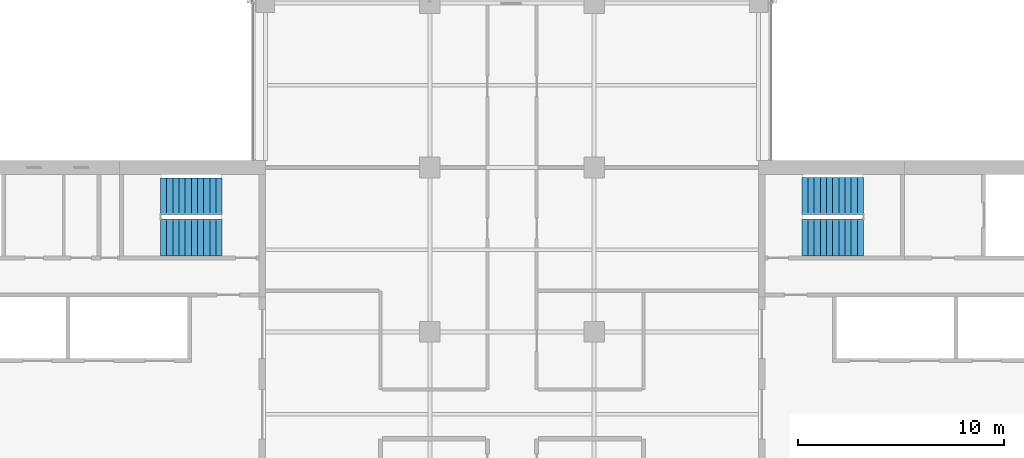
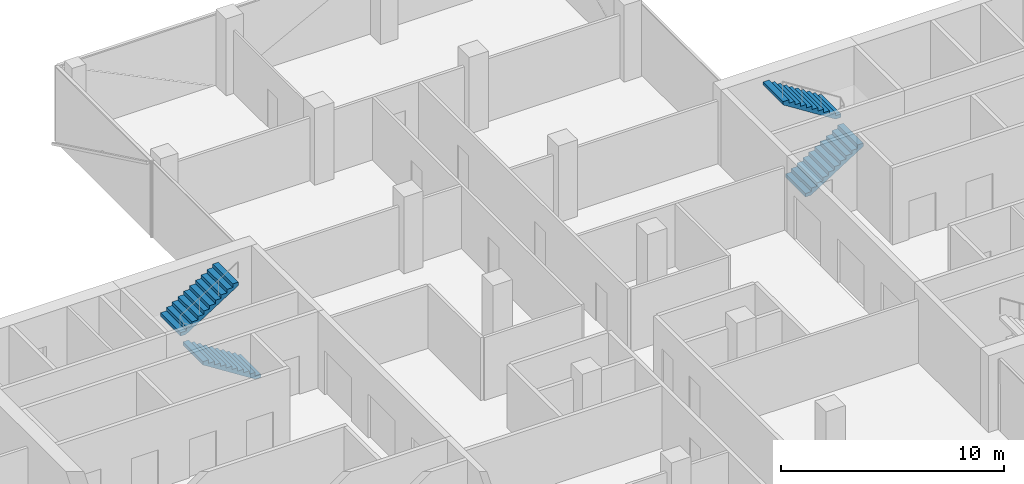
# One storey, part 17 of 22: 4 stair flights, 2 elements without a shape of their own.
"""IFC4 building model written with IfcOpenShell, lengths in metres."""

from ifc_helpers import new_model, si_unit, direction, frame, origin, place, context, subcontext, project, spatial, polyline, outline, extrude, material, type_object, element, aggregate, save


model = new_model("IFC4")

# Units and contexts
model_context = context("Model", 3, precision=1e-05, world=origin(), true_north=direction((0.0, 1.0)))
body_context = subcontext(model_context, "Body", "Model", "MODEL_VIEW")
ifc_project = project(units=[si_unit("LENGTHUNIT", "METRE"), si_unit("AREAUNIT", "SQUARE_METRE"), si_unit("VOLUMEUNIT", "CUBIC_METRE"), si_unit("PLANEANGLEUNIT", "RADIAN"), si_unit("MASSUNIT", "GRAM", prefix="KILO")], contexts=[model_context])

# Site, building, storey
site_placement = place(None, origin())
site = spatial("IfcSite", under=ifc_project, at=site_placement, CompositionType="ELEMENT")
building_placement = place(site_placement, origin())
building = spatial("IfcBuilding", under=site, at=building_placement, Name="Crosswind Convention Tower", CompositionType="ELEMENT")
storey_placement = place(building_placement, frame((0.0, 0.0, 163.10009765625)))
storey = spatial("IfcBuildingStorey", under=building, at=storey_placement, Name="L34", CompositionType="ELEMENT", Elevation=163.10009765625)

# Stair, stair flights
ifc_material = material(Name="Concrete C40/50", Category="concrete")
stair_type = type_object("IfcStairType", Name="Exit stair 1800 wide, 2 flights of 11 risers", PredefinedType="HALF_TURN_STAIR", material=ifc_material)
stair_1_placement = place(storey_placement, origin())
stair_1 = element("IfcStair", 1, at=stair_1_placement, inside=storey, type_object=stair_type, Name="Exit stair ST1 L34", ObjectType="ST5", PredefinedType="HALF_TURN_STAIR")
stair_flight_type = type_object("IfcStairFlightType", Name="Stair flight 1800 wide, 11 risers (SF4)", PredefinedType="STRAIGHT", material=ifc_material)
stair_flight_1_placement = place(storey_placement, frame((139.10009765625, 108.60009765625, 0.0), z_axis=(0.0, 0.0, 1.0), x_axis=(1.0, 0.0, 0.0)))
stair_flight_1 = element("IfcStairFlight", 2, at=stair_flight_1_placement, type_object=stair_flight_type, Name="ST1 flight 1", NumberOfRisers=11, NumberOfTreads=10, PredefinedType="STRAIGHT", RiserHeight=0.190909091, TreadLength=0.3, context=body_context, shape_type="SweptSolid", body=[
    extrude(outline(polyline([(0.0, 0.0), (0.0, 0.19091796875), (0.300048828125, 0.19091796875), (0.300048828125, 0.3818359375), (0.60009765625, 0.3818359375), (0.60009765625, 0.57275390625), (0.89990234375, 0.57275390625), (0.89990234375, 0.763671875), (1.199951171875, 0.763671875), (1.199951171875, 0.95458984375), (1.5, 0.95458984375), (1.5, 1.1455078125), (1.800048828125, 1.1455078125), (1.800048828125, 1.33642578125), (2.10009765625, 1.33642578125), (2.10009765625, 1.52734375), (2.39990234375, 1.52734375), (2.39990234375, 1.71826171875), (2.699951171875, 1.71826171875), (2.699951171875, 1.9091796875), (3.0, 1.9091796875), (3.0, 2.10009765625), (3.0, 1.7314453125), (0.279296875, 0.0), (0.0, 0.0)])), frame((0.0, 0.89990234375, 0.0), z_axis=(0.0, -1.0, 0.0), x_axis=(1.0, 0.0, 0.0)), (0.0, 0.0, 1.0), 1.800048828125),
])
stair_flight_2_placement = place(storey_placement, frame((142.10009765625, 110.60009765625, 2.099853515625), z_axis=(0.0, 0.0, 1.0), x_axis=(-1.0, 0.0, 0.0)))
stair_flight_2 = element("IfcStairFlight", 3, at=stair_flight_2_placement, type_object=stair_flight_type, Name="ST1 flight 2", NumberOfRisers=11, NumberOfTreads=10, PredefinedType="STRAIGHT", RiserHeight=0.190909091, TreadLength=0.3, context=body_context, shape_type="SweptSolid", body=[
    extrude(outline(polyline([(0.0, 0.0), (0.0, 0.19091796875), (0.300048828125, 0.19091796875), (0.300048828125, 0.3818359375), (0.60009765625, 0.3818359375), (0.60009765625, 0.57275390625), (0.89990234375, 0.57275390625), (0.89990234375, 0.763671875), (1.199951171875, 0.763671875), (1.199951171875, 0.95458984375), (1.5, 0.95458984375), (1.5, 1.1455078125), (1.800048828125, 1.1455078125), (1.800048828125, 1.33642578125), (2.10009765625, 1.33642578125), (2.10009765625, 1.52734375), (2.39990234375, 1.52734375), (2.39990234375, 1.71826171875), (2.699951171875, 1.71826171875), (2.699951171875, 1.9091796875), (3.0, 1.9091796875), (3.0, 2.10009765625), (3.0, 1.7314453125), (0.279296875, 0.0), (0.0, 0.0)])), frame((0.0, 0.89990234375, 0.0), z_axis=(0.0, -1.0, 0.0), x_axis=(1.0, 0.0, 0.0)), (0.0, 0.0, 1.0), 1.800048828125),
])
aggregate(stair_1, [stair_flight_1, stair_flight_2])

stair_2_placement = place(storey_placement, origin())
stair_2 = element("IfcStair", 4, at=stair_2_placement, inside=storey, type_object=stair_type, Name="Exit stair ST4 L34", ObjectType="ST5", PredefinedType="HALF_TURN_STAIR")
stair_flight_3_placement = place(storey_placement, frame((110.89990234375, 108.60009765625, 0.0), z_axis=(0.0, 0.0, 1.0), x_axis=(-1.0, 0.0, 0.0)))
stair_flight_3 = element("IfcStairFlight", 5, at=stair_flight_3_placement, type_object=stair_flight_type, Name="ST4 flight 1", NumberOfRisers=11, NumberOfTreads=10, PredefinedType="STRAIGHT", RiserHeight=0.190909091, TreadLength=0.3, context=body_context, shape_type="SweptSolid", body=[
    extrude(outline(polyline([(0.0, 0.0), (0.0, 0.19091796875), (0.300048828125, 0.19091796875), (0.300048828125, 0.3818359375), (0.60009765625, 0.3818359375), (0.60009765625, 0.57275390625), (0.89990234375, 0.57275390625), (0.89990234375, 0.763671875), (1.199951171875, 0.763671875), (1.199951171875, 0.95458984375), (1.5, 0.95458984375), (1.5, 1.1455078125), (1.800048828125, 1.1455078125), (1.800048828125, 1.33642578125), (2.10009765625, 1.33642578125), (2.10009765625, 1.52734375), (2.39990234375, 1.52734375), (2.39990234375, 1.71826171875), (2.699951171875, 1.71826171875), (2.699951171875, 1.9091796875), (3.0, 1.9091796875), (3.0, 2.10009765625), (3.0, 1.7314453125), (0.279296875, 0.0), (0.0, 0.0)])), frame((0.0, 0.89990234375, 0.0), z_axis=(0.0, -1.0, 0.0), x_axis=(1.0, 0.0, 0.0)), (0.0, 0.0, 1.0), 1.800048828125),
])
stair_flight_4_placement = place(storey_placement, frame((107.89990234375, 110.60009765625, 2.099853515625), z_axis=(0.0, 0.0, 1.0), x_axis=(1.0, 0.0, 0.0)))
stair_flight_4 = element("IfcStairFlight", 6, at=stair_flight_4_placement, type_object=stair_flight_type, Name="ST4 flight 2", NumberOfRisers=11, NumberOfTreads=10, PredefinedType="STRAIGHT", RiserHeight=0.190909091, TreadLength=0.3, context=body_context, shape_type="SweptSolid", body=[
    extrude(outline(polyline([(0.0, 0.0), (0.0, 0.19091796875), (0.300048828125, 0.19091796875), (0.300048828125, 0.3818359375), (0.60009765625, 0.3818359375), (0.60009765625, 0.57275390625), (0.89990234375, 0.57275390625), (0.89990234375, 0.763671875), (1.199951171875, 0.763671875), (1.199951171875, 0.95458984375), (1.5, 0.95458984375), (1.5, 1.1455078125), (1.800048828125, 1.1455078125), (1.800048828125, 1.33642578125), (2.10009765625, 1.33642578125), (2.10009765625, 1.52734375), (2.39990234375, 1.52734375), (2.39990234375, 1.71826171875), (2.699951171875, 1.71826171875), (2.699951171875, 1.9091796875), (3.0, 1.9091796875), (3.0, 2.10009765625), (3.0, 1.7314453125), (0.279296875, 0.0), (0.0, 0.0)])), frame((0.0, 0.89990234375, 0.0), z_axis=(0.0, -1.0, 0.0), x_axis=(1.0, 0.0, 0.0)), (0.0, 0.0, 1.0), 1.800048828125),
])
aggregate(stair_2, [stair_flight_3, stair_flight_4])

save(model, "model.ifc")
